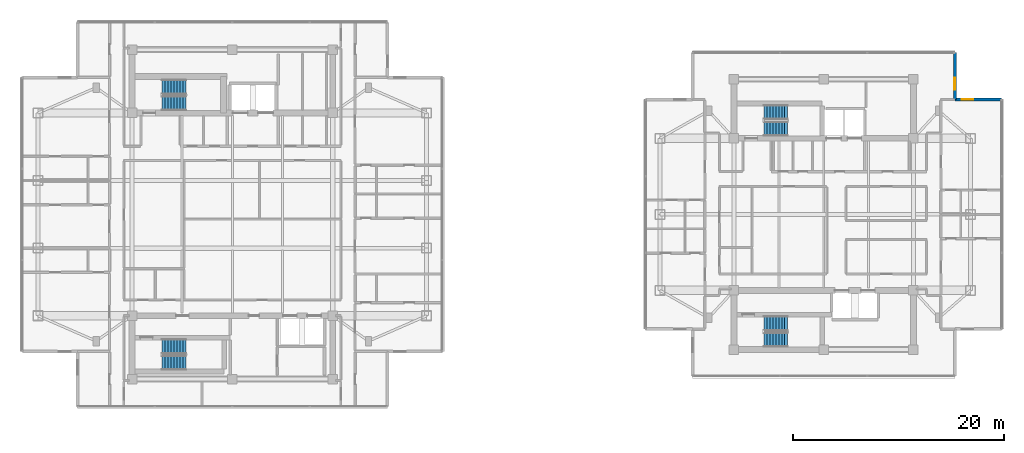
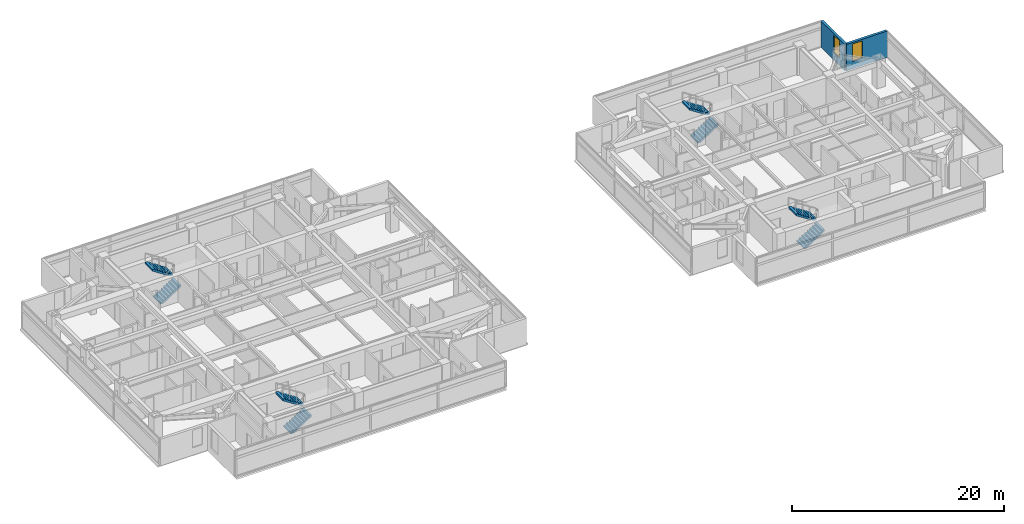
# One storey, part 18 of 24: 8 stair flights, 2 walls, 2 windows, 2 openings, 4 elements without a shape of their own.
"""IFC4 building model written with IfcOpenShell, lengths in metres."""

from ifc_helpers import new_model, si_unit, direction, frame, frame_2d, origin, place, context, subcontext, project, spatial, polyline, rectangle, outline, extrude, material, layer, layer_set, type_object, element, fill, aggregate, save


model = new_model("IFC4")

# Units and contexts
model_context = context("Model", 3, precision=1e-05, world=origin(), true_north=direction((0.0, 1.0)))
body_context = subcontext(model_context, "Body", "Model", "MODEL_VIEW")
ifc_project = project(units=[si_unit("LENGTHUNIT", "METRE"), si_unit("AREAUNIT", "SQUARE_METRE"), si_unit("VOLUMEUNIT", "CUBIC_METRE"), si_unit("PLANEANGLEUNIT", "RADIAN"), si_unit("MASSUNIT", "GRAM", prefix="KILO")], contexts=[model_context])

# Site, building, storey
site_placement = place(None, origin())
site = spatial("IfcSite", under=ifc_project, at=site_placement, CompositionType="ELEMENT")
building_placement = place(site_placement, origin())
building = spatial("IfcBuilding", under=site, at=building_placement, Name="Mirazonda Arch Towers", CompositionType="ELEMENT")
storey_placement = place(building_placement, frame((0.0, 0.0, 190.14990234375)))
storey = spatial("IfcBuildingStorey", under=building, at=storey_placement, Name="L54", CompositionType="ELEMENT", Elevation=190.14990234375)

# Wall, opening, window
ifc_material_1 = material(Name="Precast Concrete C40/50", Category="concrete")
ifc_layer = layer(ifc_material_1, 0.280029296875, Name="WALL-EXT-WALL-280")
ifc_layer_set = layer_set([ifc_layer], Name="Precast Concrete C40/50")
wall_type = type_object("IfcWallType", Name="WALL-EXT-WALL-280", PredefinedType="SOLIDWALL", material=ifc_layer_set)
wall_1_placement = place(storey_placement, frame((88.913818359375, 38.865478515625, 0.0), z_axis=(0.0, 0.0, 1.0), x_axis=(0.0, 1.0, 0.0)))
wall_1 = element("IfcWall", 1, at=wall_1_placement, inside=storey, type_object=wall_type, Name="L54 T2 Notched NE Corner Wall WL-L54-T2-CNE", PredefinedType="SOLIDWALL", context=body_context, shape_type="SweptSolid", body=[
    extrude(rectangle(XDim=4.439697265625, YDim=0.280029296875, at=frame_2d((2.2197265625, 0.0))), origin(), (0.0, 0.0, 1.0), 3.030029296875),
])
opening_1_placement = place(wall_1_placement, frame((0.949951171875, 0.0, 0.85009765625)))
opening_1 = element("IfcOpeningElement", 2, at=opening_1_placement, cuts=wall_1, Name="Opening WN-108", PredefinedType="OPENING", context=body_context, shape_type="SweptSolid", body=[
    extrude(rectangle(XDim=1.10009765625, YDim=2.0, at=frame_2d((0.550048828125, 1.0))), frame((0.0, 0.14990234375, 0.0), z_axis=(0.0, -1.0, 0.0), x_axis=(1.0, 0.0, 0.0)), (0.0, 0.0, 1.0), 0.300048828125),
])
ifc_material_2 = material(Name="Insulated Low-E Solar Glass", Category="glass")
window_type = type_object("IfcWindowType", Name="WIN-NOTCH-1100x2000", PartitioningType="SINGLE_PANEL", PredefinedType="WINDOW", material=ifc_material_2)
window_1_placement = place(opening_1_placement, origin())
window_1 = element("IfcWindow", 3, at=window_1_placement, inside=storey, type_object=window_type, Name="L54 Punched Facade Window WN-L54-T2-CNE", OverallHeight=2.0, OverallWidth=1.10009765625, PartitioningType="SINGLE_PANEL", PredefinedType="WINDOW", context=body_context, shape_type="SweptSolid", body=[
    extrude(rectangle(XDim=1.10009765625, YDim=2.0, at=frame_2d((0.550048828125, 1.0))), frame((0.0, 0.030029296875, 0.0), z_axis=(0.0, -1.0, 0.0), x_axis=(1.0, 0.0, 0.0)), (0.0, 0.0, 1.0), 0.06005859375),
])
fill(opening_1, window_1)

wall_2_placement = place(storey_placement, frame((93.353515625, 38.865478515625, 0.0), z_axis=(0.0, 0.0, 1.0), x_axis=(-1.0, 0.0, 0.0)))
wall_2 = element("IfcWall", 4, at=wall_2_placement, inside=storey, type_object=wall_type, Name="L54 T2 Corner Notch Return Wall WL-L54-T2-CNE2", PredefinedType="SOLIDWALL", context=body_context, shape_type="SweptSolid", body=[
    extrude(rectangle(XDim=4.439697265625, YDim=0.280029296875, at=frame_2d((2.2197265625, 0.0))), origin(), (0.0, 0.0, 1.0), 3.030029296875),
])
opening_2_placement = place(wall_2_placement, frame((2.68994140625, 0.0, 0.85009765625)))
opening_2 = element("IfcOpeningElement", 5, at=opening_2_placement, cuts=wall_2, Name="Opening WN-108", PredefinedType="OPENING", context=body_context, shape_type="SweptSolid", body=[
    extrude(rectangle(XDim=1.10009765625, YDim=2.0, at=frame_2d((0.550048828125, 1.0))), frame((0.0, 0.14990234375, 0.0), z_axis=(0.0, -1.0, 0.0), x_axis=(1.0, 0.0, 0.0)), (0.0, 0.0, 1.0), 0.300048828125),
])
window_2_placement = place(opening_2_placement, origin())
window_2 = element("IfcWindow", 6, at=window_2_placement, inside=storey, type_object=window_type, Name="L54 Punched Facade Window WN-L54-T2-CNE2", OverallHeight=2.0, OverallWidth=1.10009765625, PartitioningType="SINGLE_PANEL", PredefinedType="WINDOW", context=body_context, shape_type="SweptSolid", body=[
    extrude(rectangle(XDim=1.10009765625, YDim=2.0, at=frame_2d((0.550048828125, 1.0))), frame((0.0, 0.030029296875, 0.0), z_axis=(0.0, -1.0, 0.0), x_axis=(1.0, 0.0, 0.0)), (0.0, 0.0, 1.0), 0.06005859375),
])
fill(opening_2, window_2)

# Stair, stair flights
ifc_material_3 = material(Name="Concrete C40/50", Category="concrete")
stair_type = type_object("IfcStairType", Name="STAIR-CORE-1400", PredefinedType="HALF_TURN_STAIR", material=ifc_material_3)
stair_1_placement = place(storey_placement, origin())
stair_1 = element("IfcStair", 7, at=stair_1_placement, inside=storey, type_object=stair_type, Name="L54 Protected Exit Stair ST-T1N", PredefinedType="HALF_TURN_STAIR")
stair_flight_type = type_object("IfcStairFlightType", Name="FLIGHT-1400", PredefinedType="STRAIGHT", material=ifc_material_3)
stair_flight_1_placement = place(storey_placement, frame((13.85009765625, 38.52001953125, 0.0), z_axis=(0.0, 0.0, 1.0), x_axis=(1.0, 0.0, 0.0)))
stair_flight_1 = element("IfcStairFlight", 8, at=stair_flight_1_placement, type_object=stair_flight_type, Name="ST-T1N flight 1", NumberOfRisers=9, NumberOfTreads=8, PredefinedType="STRAIGHT", RiserHeight=0.180555556, TreadLength=0.28, context=body_context, shape_type="SweptSolid", body=[
    extrude(outline(polyline([(0.0, 0.0), (0.0, 0.1806640625), (0.280029296875, 0.1806640625), (0.280029296875, 0.361083984375), (0.56005859375, 0.361083984375), (0.56005859375, 0.541748046875), (0.840087890625, 0.541748046875), (0.840087890625, 0.72216796875), (1.1201171875, 0.72216796875), (1.1201171875, 0.90283203125), (1.39990234375, 0.90283203125), (1.39990234375, 1.083251953125), (1.679931640625, 1.083251953125), (1.679931640625, 1.263916015625), (1.9599609375, 1.263916015625), (1.9599609375, 1.4443359375), (2.239990234375, 1.4443359375), (2.239990234375, 1.625), (2.239990234375, 1.254150390625), (0.295166015625, 0.0), (0.0, 0.0)])), frame((0.0, 0.699951171875, 0.0), z_axis=(0.0, -1.0, 0.0), x_axis=(1.0, 0.0, 0.0)), (0.0, 0.0, 1.0), 1.39990234375),
])
stair_flight_2_placement = place(storey_placement, frame((16.090087890625, 40.06005859375, 1.625), z_axis=(0.0, 0.0, 1.0), x_axis=(-1.0, 0.0, 0.0)))
stair_flight_2 = element("IfcStairFlight", 9, at=stair_flight_2_placement, type_object=stair_flight_type, Name="ST-T1N flight 2", NumberOfRisers=9, NumberOfTreads=8, PredefinedType="STRAIGHT", RiserHeight=0.180555556, TreadLength=0.28, context=body_context, shape_type="SweptSolid", body=[
    extrude(outline(polyline([(0.0, 0.0), (0.0, 0.1806640625), (0.280029296875, 0.1806640625), (0.280029296875, 0.361083984375), (0.56005859375, 0.361083984375), (0.56005859375, 0.541748046875), (0.840087890625, 0.541748046875), (0.840087890625, 0.72216796875), (1.1201171875, 0.72216796875), (1.1201171875, 0.90283203125), (1.39990234375, 0.90283203125), (1.39990234375, 1.083251953125), (1.679931640625, 1.083251953125), (1.679931640625, 1.263916015625), (1.9599609375, 1.263916015625), (1.9599609375, 1.4443359375), (2.239990234375, 1.4443359375), (2.239990234375, 1.625), (2.239990234375, 1.254150390625), (0.295166015625, 0.0), (0.0, 0.0)])), frame((0.0, 0.699951171875, 0.0), z_axis=(0.0, -1.0, 0.0), x_axis=(1.0, 0.0, 0.0)), (0.0, 0.0, 1.0), 1.39990234375),
])
aggregate(stair_1, [stair_flight_1, stair_flight_2])

stair_2_placement = place(storey_placement, origin())
stair_2 = element("IfcStair", 10, at=stair_2_placement, inside=storey, type_object=stair_type, Name="L54 Protected Exit Stair ST-T1S", PredefinedType="HALF_TURN_STAIR")
stair_flight_3_placement = place(storey_placement, frame((13.85009765625, 13.949951171875, 0.0), z_axis=(0.0, 0.0, 1.0), x_axis=(1.0, 0.0, 0.0)))
stair_flight_3 = element("IfcStairFlight", 11, at=stair_flight_3_placement, type_object=stair_flight_type, Name="ST-T1S flight 1", NumberOfRisers=9, NumberOfTreads=8, PredefinedType="STRAIGHT", RiserHeight=0.180555556, TreadLength=0.28, context=body_context, shape_type="SweptSolid", body=[
    extrude(outline(polyline([(0.0, 0.0), (0.0, 0.1806640625), (0.280029296875, 0.1806640625), (0.280029296875, 0.361083984375), (0.56005859375, 0.361083984375), (0.56005859375, 0.541748046875), (0.840087890625, 0.541748046875), (0.840087890625, 0.72216796875), (1.1201171875, 0.72216796875), (1.1201171875, 0.90283203125), (1.39990234375, 0.90283203125), (1.39990234375, 1.083251953125), (1.679931640625, 1.083251953125), (1.679931640625, 1.263916015625), (1.9599609375, 1.263916015625), (1.9599609375, 1.4443359375), (2.239990234375, 1.4443359375), (2.239990234375, 1.625), (2.239990234375, 1.254150390625), (0.295166015625, 0.0), (0.0, 0.0)])), frame((0.0, 0.699951171875, 0.0), z_axis=(0.0, -1.0, 0.0), x_axis=(1.0, 0.0, 0.0)), (0.0, 0.0, 1.0), 1.39990234375),
])
stair_flight_4_placement = place(storey_placement, frame((16.090087890625, 15.489990234375, 1.625), z_axis=(0.0, 0.0, 1.0), x_axis=(-1.0, 0.0, 0.0)))
stair_flight_4 = element("IfcStairFlight", 12, at=stair_flight_4_placement, type_object=stair_flight_type, Name="ST-T1S flight 2", NumberOfRisers=9, NumberOfTreads=8, PredefinedType="STRAIGHT", RiserHeight=0.180555556, TreadLength=0.28, context=body_context, shape_type="SweptSolid", body=[
    extrude(outline(polyline([(0.0, 0.0), (0.0, 0.1806640625), (0.280029296875, 0.1806640625), (0.280029296875, 0.361083984375), (0.56005859375, 0.361083984375), (0.56005859375, 0.541748046875), (0.840087890625, 0.541748046875), (0.840087890625, 0.72216796875), (1.1201171875, 0.72216796875), (1.1201171875, 0.90283203125), (1.39990234375, 0.90283203125), (1.39990234375, 1.083251953125), (1.679931640625, 1.083251953125), (1.679931640625, 1.263916015625), (1.9599609375, 1.263916015625), (1.9599609375, 1.4443359375), (2.239990234375, 1.4443359375), (2.239990234375, 1.625), (2.239990234375, 1.254150390625), (0.295166015625, 0.0), (0.0, 0.0)])), frame((0.0, 0.699951171875, 0.0), z_axis=(0.0, -1.0, 0.0), x_axis=(1.0, 0.0, 0.0)), (0.0, 0.0, 1.0), 1.39990234375),
])
aggregate(stair_2, [stair_flight_3, stair_flight_4])

stair_3_placement = place(storey_placement, origin())
stair_3 = element("IfcStair", 13, at=stair_3_placement, inside=storey, type_object=stair_type, Name="L54 Protected Exit Stair ST-T2N", PredefinedType="HALF_TURN_STAIR")
stair_flight_5_placement = place(storey_placement, frame((70.85009765625, 36.1201171875, 0.0), z_axis=(0.0, 0.0, 1.0), x_axis=(1.0, 0.0, 0.0)))
stair_flight_5 = element("IfcStairFlight", 14, at=stair_flight_5_placement, type_object=stair_flight_type, Name="ST-T2N flight 1", NumberOfRisers=9, NumberOfTreads=8, PredefinedType="STRAIGHT", RiserHeight=0.180555556, TreadLength=0.28, context=body_context, shape_type="SweptSolid", body=[
    extrude(outline(polyline([(0.0, 0.0), (0.0, 0.1806640625), (0.280029296875, 0.1806640625), (0.280029296875, 0.361083984375), (0.56005859375, 0.361083984375), (0.56005859375, 0.541748046875), (0.840087890625, 0.541748046875), (0.840087890625, 0.72216796875), (1.1201171875, 0.72216796875), (1.1201171875, 0.90283203125), (1.39990234375, 0.90283203125), (1.39990234375, 1.083251953125), (1.679931640625, 1.083251953125), (1.679931640625, 1.263916015625), (1.9599609375, 1.263916015625), (1.9599609375, 1.4443359375), (2.239990234375, 1.4443359375), (2.239990234375, 1.625), (2.239990234375, 1.254150390625), (0.295166015625, 0.0), (0.0, 0.0)])), frame((0.0, 0.699951171875, 0.0), z_axis=(0.0, -1.0, 0.0), x_axis=(1.0, 0.0, 0.0)), (0.0, 0.0, 1.0), 1.39990234375),
])
stair_flight_6_placement = place(storey_placement, frame((73.090087890625, 37.659912109375, 1.625), z_axis=(0.0, 0.0, 1.0), x_axis=(-1.0, 0.0, 0.0)))
stair_flight_6 = element("IfcStairFlight", 15, at=stair_flight_6_placement, type_object=stair_flight_type, Name="ST-T2N flight 2", NumberOfRisers=9, NumberOfTreads=8, PredefinedType="STRAIGHT", RiserHeight=0.180555556, TreadLength=0.28, context=body_context, shape_type="SweptSolid", body=[
    extrude(outline(polyline([(0.0, 0.0), (0.0, 0.1806640625), (0.280029296875, 0.1806640625), (0.280029296875, 0.361083984375), (0.56005859375, 0.361083984375), (0.56005859375, 0.541748046875), (0.840087890625, 0.541748046875), (0.840087890625, 0.72216796875), (1.1201171875, 0.72216796875), (1.1201171875, 0.90283203125), (1.39990234375, 0.90283203125), (1.39990234375, 1.083251953125), (1.679931640625, 1.083251953125), (1.679931640625, 1.263916015625), (1.9599609375, 1.263916015625), (1.9599609375, 1.4443359375), (2.239990234375, 1.4443359375), (2.239990234375, 1.625), (2.239990234375, 1.254150390625), (0.295166015625, 0.0), (0.0, 0.0)])), frame((0.0, 0.699951171875, 0.0), z_axis=(0.0, -1.0, 0.0), x_axis=(1.0, 0.0, 0.0)), (0.0, 0.0, 1.0), 1.39990234375),
])
aggregate(stair_3, [stair_flight_5, stair_flight_6])

stair_4_placement = place(storey_placement, origin())
stair_4 = element("IfcStair", 16, at=stair_4_placement, inside=storey, type_object=stair_type, Name="L54 Protected Exit Stair ST-T2S", PredefinedType="HALF_TURN_STAIR")
stair_flight_7_placement = place(storey_placement, frame((70.85009765625, 16.1201171875, 0.0), z_axis=(0.0, 0.0, 1.0), x_axis=(1.0, 0.0, 0.0)))
stair_flight_7 = element("IfcStairFlight", 17, at=stair_flight_7_placement, type_object=stair_flight_type, Name="ST-T2S flight 1", NumberOfRisers=9, NumberOfTreads=8, PredefinedType="STRAIGHT", RiserHeight=0.180555556, TreadLength=0.28, context=body_context, shape_type="SweptSolid", body=[
    extrude(outline(polyline([(0.0, 0.0), (0.0, 0.1806640625), (0.280029296875, 0.1806640625), (0.280029296875, 0.361083984375), (0.56005859375, 0.361083984375), (0.56005859375, 0.541748046875), (0.840087890625, 0.541748046875), (0.840087890625, 0.72216796875), (1.1201171875, 0.72216796875), (1.1201171875, 0.90283203125), (1.39990234375, 0.90283203125), (1.39990234375, 1.083251953125), (1.679931640625, 1.083251953125), (1.679931640625, 1.263916015625), (1.9599609375, 1.263916015625), (1.9599609375, 1.4443359375), (2.239990234375, 1.4443359375), (2.239990234375, 1.625), (2.239990234375, 1.254150390625), (0.295166015625, 0.0), (0.0, 0.0)])), frame((0.0, 0.699951171875, 0.0), z_axis=(0.0, -1.0, 0.0), x_axis=(1.0, 0.0, 0.0)), (0.0, 0.0, 1.0), 1.39990234375),
])
stair_flight_8_placement = place(storey_placement, frame((73.090087890625, 17.659912109375, 1.625), z_axis=(0.0, 0.0, 1.0), x_axis=(-1.0, 0.0, 0.0)))
stair_flight_8 = element("IfcStairFlight", 18, at=stair_flight_8_placement, type_object=stair_flight_type, Name="ST-T2S flight 2", NumberOfRisers=9, NumberOfTreads=8, PredefinedType="STRAIGHT", RiserHeight=0.180555556, TreadLength=0.28, context=body_context, shape_type="SweptSolid", body=[
    extrude(outline(polyline([(0.0, 0.0), (0.0, 0.1806640625), (0.280029296875, 0.1806640625), (0.280029296875, 0.361083984375), (0.56005859375, 0.361083984375), (0.56005859375, 0.541748046875), (0.840087890625, 0.541748046875), (0.840087890625, 0.72216796875), (1.1201171875, 0.72216796875), (1.1201171875, 0.90283203125), (1.39990234375, 0.90283203125), (1.39990234375, 1.083251953125), (1.679931640625, 1.083251953125), (1.679931640625, 1.263916015625), (1.9599609375, 1.263916015625), (1.9599609375, 1.4443359375), (2.239990234375, 1.4443359375), (2.239990234375, 1.625), (2.239990234375, 1.254150390625), (0.295166015625, 0.0), (0.0, 0.0)])), frame((0.0, 0.699951171875, 0.0), z_axis=(0.0, -1.0, 0.0), x_axis=(1.0, 0.0, 0.0)), (0.0, 0.0, 1.0), 1.39990234375),
])
aggregate(stair_4, [stair_flight_7, stair_flight_8])

save(model, "model.ifc")
